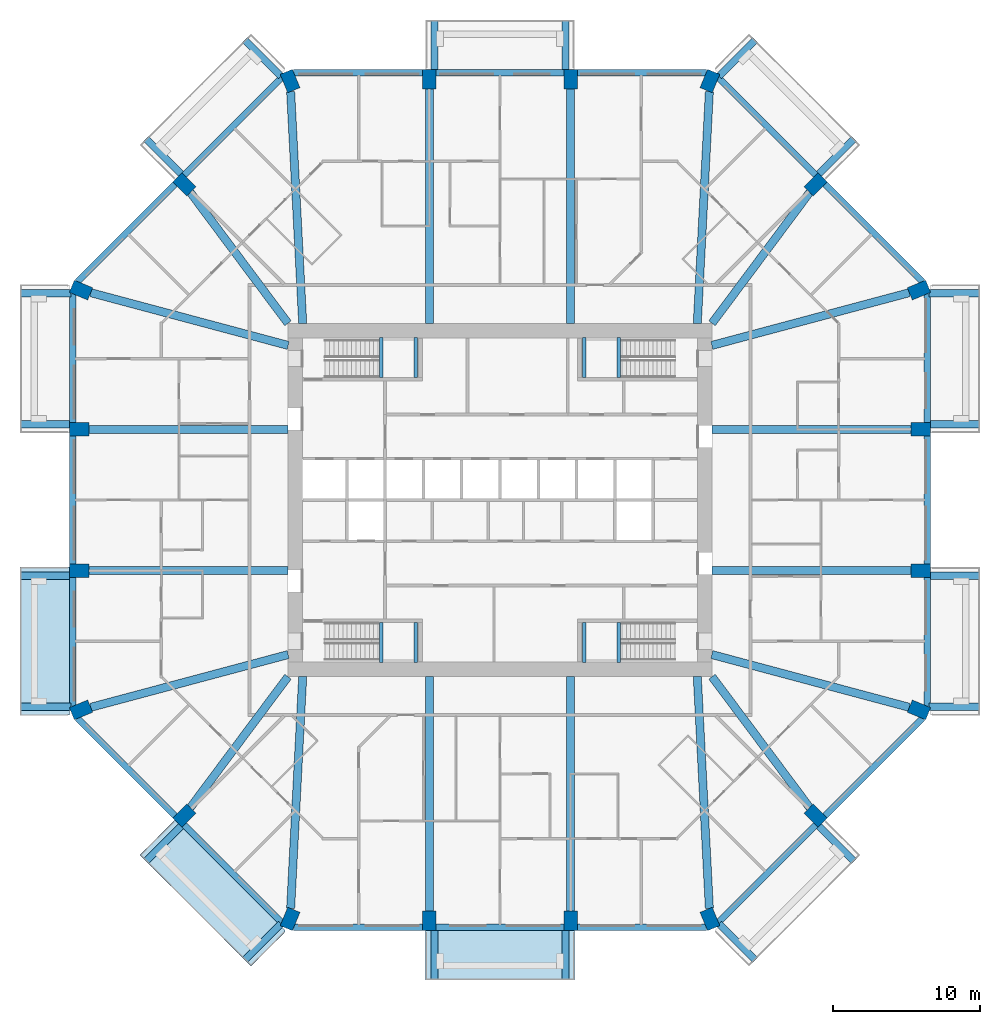
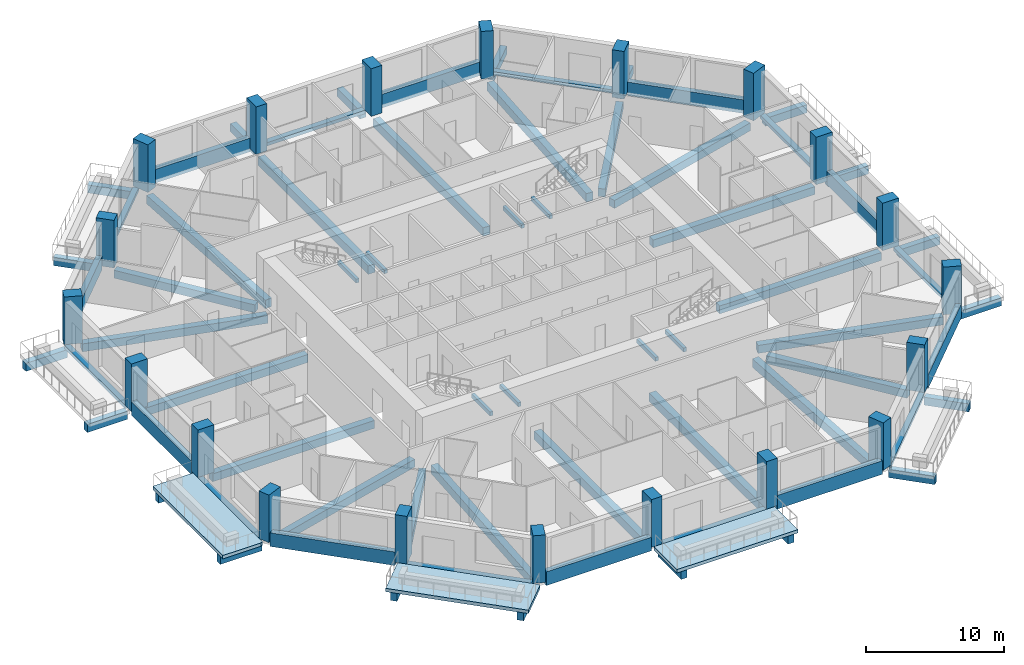
# One storey, part 1 of 13: 68 beams, 20 columns, 3 slabs.
"""IFC4 building model written with IfcOpenShell, lengths in metres."""

from ifc_helpers import new_model, si_unit, direction, frame, origin, origin_2d, place, context, subcontext, project, spatial, polyline, rectangle, outline, extrude, material, layer, layer_set, material_profile, profile_set, type_object, element, save


model = new_model("IFC4")

# Units and contexts
model_context = context("Model", 3, precision=1e-05, world=origin(), true_north=direction((0.0, 1.0)))
body_context = subcontext(model_context, "Body", "Model", "MODEL_VIEW")
ifc_project = project(units=[si_unit("LENGTHUNIT", "METRE"), si_unit("AREAUNIT", "SQUARE_METRE"), si_unit("VOLUMEUNIT", "CUBIC_METRE"), si_unit("PLANEANGLEUNIT", "RADIAN"), si_unit("MASSUNIT", "GRAM", prefix="KILO")], contexts=[model_context])

# Site, building, storey
site_placement = place(None, origin())
site = spatial("IfcSite", under=ifc_project, at=site_placement, CompositionType="ELEMENT")
building_placement = place(site_placement, origin())
building = spatial("IfcBuilding", under=site, at=building_placement, Name="Msitu Wima Residences", CompositionType="ELEMENT")
storey_placement = place(building_placement, frame((0.0, 0.0, 25.5)))
storey = spatial("IfcBuildingStorey", under=building, at=storey_placement, Name="L05", CompositionType="ELEMENT", Elevation=25.5)

# Columns
ifc_material_1 = material(Name="Concrete C80/95", Category="concrete")
ifc_material_profile_1 = material_profile(ifc_material_1, rectangle(XDim=0.89990234375, YDim=1.35009765625, at=origin_2d()), Name="RC 900x1350")
ifc_profile_set_1 = profile_set([ifc_material_profile_1], Name="Concrete C80/95")
column_type = type_object("IfcColumnType", Name="Column RC 900x1350 Concrete C80/95", PredefinedType="COLUMN", material=ifc_profile_set_1)
for number, where, z_axis, x_axis, name in (
    (1, (28.4541015625, -14.2568359375, 0.0), (0.0, 0.0, 1.0), (0.382683496864, 0.923879505795, 0.0), "Column L05 C-E0"),
    (2, (28.574951171875, -4.800048828125, 0.0), (0.0, 0.0, 1.0), (0.0, 1.0, 0.0), "Column L05 C-E1"),
    (3, (28.574951171875, 4.800048828125, 0.0), (0.0, 0.0, 1.0), (0.0, 1.0, 0.0), "Column L05 C-E2"),
    (4, (28.4541015625, 14.2568359375, 0.0), (0.0, 0.0, 1.0), (-0.382683496864, 0.923879505795, 0.0), "Column L05 C-NE0"),
    (5, (21.44091796875, 21.44091796875, 0.0), (0.0, 0.0, 1.0), (-0.707106781187, 0.707106781187, 0.0), "Column L05 C-NE1"),
    (6, (14.2568359375, 28.4541015625, 0.0), (0.0, 0.0, 1.0), (-0.923879505795, 0.382683496864, 0.0), "Column L05 C-N0"),
    (7, (4.800048828125, 28.574951171875, 0.0), (0.0, 0.0, 1.0), (-1.0, 0.0, 0.0), "Column L05 C-N1"),
    (8, (-4.800048828125, 28.574951171875, 0.0), (0.0, 0.0, 1.0), (-1.0, 0.0, 0.0), "Column L05 C-N2"),
    (9, (-14.2568359375, 28.4541015625, 0.0), (0.0, 0.0, 1.0), (-0.923879505795, -0.382683496864, 0.0), "Column L05 C-NW0"),
    (10, (-21.44091796875, 21.44091796875, 0.0), (0.0, 0.0, 1.0), (-0.707106781187, -0.707106781187, 0.0), "Column L05 C-NW1"),
    (11, (-28.4541015625, 14.2568359375, 0.0), (0.0, 0.0, 1.0), (-0.382683496864, -0.923879505795, 0.0), "Column L05 C-W0"),
    (12, (-28.574951171875, 4.800048828125, 0.0), (0.0, 0.0, 1.0), (0.0, -1.0, 0.0), "Column L05 C-W1"),
    (13, (-28.574951171875, -4.800048828125, 0.0), (0.0, 0.0, 1.0), (0.0, -1.0, 0.0), "Column L05 C-W2"),
    (14, (-28.4541015625, -14.2568359375, 0.0), (0.0, 0.0, 1.0), (0.382683496864, -0.923879505795, 0.0), "Column L05 C-SW0"),
    (15, (-21.44091796875, -21.44091796875, 0.0), (0.0, 0.0, 1.0), (0.707106781187, -0.707106781187, 0.0), "Column L05 C-SW1"),
    (16, (-14.2568359375, -28.4541015625, 0.0), (0.0, 0.0, 1.0), (0.923879505795, -0.382683496864, 0.0), "Column L05 C-S0"),
    (17, (-4.800048828125, -28.574951171875, 0.0), (0.0, 0.0, 1.0), (1.0, 0.0, 0.0), "Column L05 C-S1"),
    (18, (4.800048828125, -28.574951171875, 0.0), (0.0, 0.0, 1.0), (1.0, 0.0, 0.0), "Column L05 C-S2"),
    (19, (14.2568359375, -28.4541015625, 0.0), (0.0, 0.0, 1.0), (0.923879505795, 0.382683496864, 0.0), "Column L05 C-SE0"),
    (20, (21.44091796875, -21.44091796875, 0.0), (0.0, 0.0, 1.0), (0.707106781187, 0.707106781187, 0.0), "Column L05 C-SE1"),
):
    element("IfcColumn", number, at=place(storey_placement, frame(where, z_axis=z_axis, x_axis=x_axis)), inside=storey, type_object=column_type, Name=name, PredefinedType="COLUMN", context=body_context, shape_type="SweptSolid", body=[
        extrude(rectangle(XDim=0.89990234375, YDim=1.35009765625, at=origin_2d()), origin(), (0.0, 0.0, 1.0), 4.199951171875),
    ])

# Beams
ifc_material_2 = material(Name="Concrete C50/60", Category="concrete")
ifc_material_profile_2 = material_profile(ifc_material_2, rectangle(XDim=0.550048828125, YDim=0.699951171875, at=origin_2d()), Name="RC 550x700")
ifc_profile_set_2 = profile_set([ifc_material_profile_2], Name="Concrete C50/60")
beam_type_1 = type_object("IfcBeamType", Name="Beam RC 550x700 Concrete C50/60", PredefinedType="BEAM", material=ifc_profile_set_2)
beam_1_placement = place(storey_placement, frame((27.79638671875, -14.080810546875, -0.60009765625), z_axis=(-0.966081778408, 0.258236320891, 0.0), x_axis=(-0.258236320891, -0.966081778408, 0.0)))
element("IfcBeam", 21, at=beam_1_placement, inside=storey, type_object=beam_type_1, Name="Beam L05 C-E0", PredefinedType="BEAM", context=body_context, shape_type="SweptSolid", body=[
    extrude(rectangle(XDim=0.550048828125, YDim=0.699951171875, at=origin_2d()), origin(), (0.0, 0.0, 1.0), 13.878662109375),
])
for number, where, z_axis, x_axis, name in (
    (22, (27.89990234375, -4.800048828125, -0.60009765625), (-1.0, 0.0, 0.0), (0.0, -1.0, 0.0), "Beam L05 C-E1"),
    (23, (27.89990234375, 4.800048828125, -0.60009765625), (-1.0, 0.0, 0.0), (0.0, -1.0, 0.0), "Beam L05 C-E2"),
):
    element("IfcBeam", number, at=place(storey_placement, frame(where, z_axis=z_axis, x_axis=x_axis)), inside=storey, type_object=beam_type_1, Name=name, PredefinedType="BEAM", context=body_context, shape_type="SweptSolid", body=[
        extrude(rectangle(XDim=0.550048828125, YDim=0.699951171875, at=origin_2d()), origin(), (0.0, 0.0, 1.0), 13.5),
    ])
beam_2_placement = place(storey_placement, frame((27.79638671875, 14.080810546875, -0.60009765625), z_axis=(-0.966081778408, -0.258236320891, 0.0), x_axis=(0.258236320891, -0.966081778408, 0.0)))
element("IfcBeam", 24, at=beam_2_placement, inside=storey, type_object=beam_type_1, Name="Beam L05 C-NE0", PredefinedType="BEAM", context=body_context, shape_type="SweptSolid", body=[
    extrude(rectangle(XDim=0.550048828125, YDim=0.699951171875, at=origin_2d()), origin(), (0.0, 0.0, 1.0), 13.878662109375),
])
for number, where, z_axis, x_axis, name in (
    (25, (21.033203125, 20.89404296875, -0.60009765625), (-0.597850242031, -0.801607814398, 0.0), (0.801607814398, -0.597850242031, 0.0), "Beam L05 C-NE1"),
    (26, (-21.033203125, 20.89404296875, -0.60009765625), (0.597850242031, -0.801607814398, 0.0), (0.801607814398, 0.597850242031, 0.0), "Beam L05 C-NW1"),
):
    element("IfcBeam", number, at=place(storey_placement, frame(where, z_axis=z_axis, x_axis=x_axis)), inside=storey, type_object=beam_type_1, Name=name, PredefinedType="BEAM", context=body_context, shape_type="SweptSolid", body=[
        extrude(rectangle(XDim=0.550048828125, YDim=0.699951171875, at=origin_2d()), origin(), (0.0, 0.0, 1.0), 11.09521484375),
    ])
beam_3_placement = place(storey_placement, frame((-27.79638671875, 14.080810546875, -0.60009765625), z_axis=(0.966081778408, -0.258236320891, 0.0), x_axis=(0.258236320891, 0.966081778408, 0.0)))
element("IfcBeam", 27, at=beam_3_placement, inside=storey, type_object=beam_type_1, Name="Beam L05 C-W0", PredefinedType="BEAM", context=body_context, shape_type="SweptSolid", body=[
    extrude(rectangle(XDim=0.550048828125, YDim=0.699951171875, at=origin_2d()), origin(), (0.0, 0.0, 1.0), 13.878662109375),
])
for number, where, z_axis, x_axis, name in (
    (28, (-27.89990234375, 4.800048828125, -0.60009765625), (1.0, 0.0, 0.0), (0.0, 1.0, 0.0), "Beam L05 C-W1"),
    (29, (-27.89990234375, -4.800048828125, -0.60009765625), (1.0, 0.0, 0.0), (0.0, 1.0, 0.0), "Beam L05 C-W2"),
):
    element("IfcBeam", number, at=place(storey_placement, frame(where, z_axis=z_axis, x_axis=x_axis)), inside=storey, type_object=beam_type_1, Name=name, PredefinedType="BEAM", context=body_context, shape_type="SweptSolid", body=[
        extrude(rectangle(XDim=0.550048828125, YDim=0.699951171875, at=origin_2d()), origin(), (0.0, 0.0, 1.0), 13.5),
    ])
beam_4_placement = place(storey_placement, frame((-27.79638671875, -14.080810546875, -0.60009765625), z_axis=(0.966081778408, 0.258236320891, 0.0), x_axis=(-0.258236320891, 0.966081778408, 0.0)))
element("IfcBeam", 30, at=beam_4_placement, inside=storey, type_object=beam_type_1, Name="Beam L05 C-SW0", PredefinedType="BEAM", context=body_context, shape_type="SweptSolid", body=[
    extrude(rectangle(XDim=0.550048828125, YDim=0.699951171875, at=origin_2d()), origin(), (0.0, 0.0, 1.0), 13.878662109375),
])
for number, where, z_axis, x_axis, name in (
    (31, (-21.033203125, -20.89404296875, -0.60009765625), (0.597850242031, 0.801607814398, 0.0), (-0.801607814398, 0.597850242031, 0.0), "Beam L05 C-SW1"),
    (32, (21.033203125, -20.89404296875, -0.60009765625), (-0.597850242031, 0.801607814398, 0.0), (-0.801607814398, -0.597850242031, 0.0), "Beam L05 C-SE1"),
):
    element("IfcBeam", number, at=place(storey_placement, frame(where, z_axis=z_axis, x_axis=x_axis)), inside=storey, type_object=beam_type_1, Name=name, PredefinedType="BEAM", context=body_context, shape_type="SweptSolid", body=[
        extrude(rectangle(XDim=0.550048828125, YDim=0.699951171875, at=origin_2d()), origin(), (0.0, 0.0, 1.0), 11.09521484375),
    ])
ifc_material_profile_3 = material_profile(ifc_material_2, rectangle(XDim=0.550048828125, YDim=0.75, at=origin_2d()), Name="RC 550x750")
ifc_profile_set_3 = profile_set([ifc_material_profile_3], Name="Concrete C50/60")
beam_type_2 = type_object("IfcBeamType", Name="Beam RC 550x750 Concrete C50/60", PredefinedType="BEAM", material=ifc_profile_set_3)
beam_5_placement = place(storey_placement, frame((14.219482421875, 27.739013671875, -0.625), z_axis=(-0.05199418091, -0.998647387796, 0.0), x_axis=(0.998647387796, -0.05199418091, 0.0)))
element("IfcBeam", 33, at=beam_5_placement, inside=storey, type_object=beam_type_2, Name="Beam L05 C-N0", PredefinedType="BEAM", context=body_context, shape_type="SweptSolid", body=[
    extrude(rectangle(XDim=0.550048828125, YDim=0.75, at=origin_2d()), origin(), (0.0, 0.0, 1.0), 15.772216796875),
])
for number, where, z_axis, x_axis, name in (
    (34, (4.800048828125, 27.89990234375, -0.625), (0.0, -1.0, 0.0), (1.0, 0.0, 0.0), "Beam L05 C-N1"),
    (35, (-4.800048828125, 27.89990234375, -0.625), (0.0, -1.0, 0.0), (1.0, 0.0, 0.0), "Beam L05 C-N2"),
):
    element("IfcBeam", number, at=place(storey_placement, frame(where, z_axis=z_axis, x_axis=x_axis)), inside=storey, type_object=beam_type_2, Name=name, PredefinedType="BEAM", context=body_context, shape_type="SweptSolid", body=[
        extrude(rectangle(XDim=0.550048828125, YDim=0.75, at=origin_2d()), origin(), (0.0, 0.0, 1.0), 15.89990234375),
    ])
for number, where, z_axis, x_axis, name in (
    (36, (-14.219482421875, 27.739013671875, -0.625), (0.05199418091, -0.998647387796, 0.0), (0.998647387796, 0.05199418091, 0.0), "Beam L05 C-NW0"),
    (37, (-14.219482421875, -27.739013671875, -0.625), (0.05199418091, 0.998647387796, 0.0), (-0.998647387796, 0.05199418091, 0.0), "Beam L05 C-S0"),
):
    element("IfcBeam", number, at=place(storey_placement, frame(where, z_axis=z_axis, x_axis=x_axis)), inside=storey, type_object=beam_type_2, Name=name, PredefinedType="BEAM", context=body_context, shape_type="SweptSolid", body=[
        extrude(rectangle(XDim=0.550048828125, YDim=0.75, at=origin_2d()), origin(), (0.0, 0.0, 1.0), 15.772216796875),
    ])
for number, where, z_axis, x_axis, name in (
    (38, (-4.800048828125, -27.89990234375, -0.625), (0.0, 1.0, 0.0), (-1.0, 0.0, 0.0), "Beam L05 C-S1"),
    (39, (4.800048828125, -27.89990234375, -0.625), (0.0, 1.0, 0.0), (-1.0, 0.0, 0.0), "Beam L05 C-S2"),
):
    element("IfcBeam", number, at=place(storey_placement, frame(where, z_axis=z_axis, x_axis=x_axis)), inside=storey, type_object=beam_type_2, Name=name, PredefinedType="BEAM", context=body_context, shape_type="SweptSolid", body=[
        extrude(rectangle(XDim=0.550048828125, YDim=0.75, at=origin_2d()), origin(), (0.0, 0.0, 1.0), 15.89990234375),
    ])
beam_6_placement = place(storey_placement, frame((14.219482421875, -27.739013671875, -0.625), z_axis=(-0.05199418091, 0.998647387796, 0.0), x_axis=(-0.998647387796, -0.05199418091, 0.0)))
element("IfcBeam", 40, at=beam_6_placement, inside=storey, type_object=beam_type_2, Name="Beam L05 C-SE0", PredefinedType="BEAM", context=body_context, shape_type="SweptSolid", body=[
    extrude(rectangle(XDim=0.550048828125, YDim=0.75, at=origin_2d()), origin(), (0.0, 0.0, 1.0), 15.772216796875),
])
ifc_material_profile_4 = material_profile(ifc_material_2, rectangle(XDim=0.5, YDim=0.699951171875, at=origin_2d()), Name="RC 500x700")
ifc_profile_set_4 = profile_set([ifc_material_profile_4], Name="Concrete C50/60")
beam_type_3 = type_object("IfcBeamType", Name="Cantilever beam RC 500x700 Concrete C50/60", PredefinedType="BEAM", material=ifc_profile_set_4)
beam_7_placement = place(storey_placement, frame((29.130859375, -14.050048828125, -0.64990234375), z_axis=(1.0, 0.0, 0.0), x_axis=(0.0, 1.0, 0.0)))
element("IfcBeam", 41, at=beam_7_placement, inside=storey, type_object=beam_type_3, Name="Cantilever beam L05 BA-E0 A", PredefinedType="BEAM", context=body_context, shape_type="SweptSolid", body=[
    extrude(rectangle(XDim=0.5, YDim=0.699951171875, at=origin_2d()), origin(), (0.0, 0.0, 1.0), 3.46923828125),
])
for number, where, z_axis, x_axis, name in (
    (42, (29.25, -5.14990234375, -0.64990234375), (1.0, 0.0, 0.0), (0.0, 1.0, 0.0), "Cantilever beam L05 BA-E0 B"),
    (43, (29.25, 5.14990234375, -0.64990234375), (1.0, 0.0, 0.0), (0.0, 1.0, 0.0), "Cantilever beam L05 BA-E2 A"),
):
    element("IfcBeam", number, at=place(storey_placement, frame(where, z_axis=z_axis, x_axis=x_axis)), inside=storey, type_object=beam_type_3, Name=name, PredefinedType="BEAM", context=body_context, shape_type="SweptSolid", body=[
        extrude(rectangle(XDim=0.5, YDim=0.699951171875, at=origin_2d()), origin(), (0.0, 0.0, 1.0), 3.35009765625),
    ])
beam_8_placement = place(storey_placement, frame((29.130859375, 14.050048828125, -0.64990234375), z_axis=(1.0, 0.0, 0.0), x_axis=(0.0, 1.0, 0.0)))
element("IfcBeam", 44, at=beam_8_placement, inside=storey, type_object=beam_type_3, Name="Cantilever beam L05 BA-E2 B", PredefinedType="BEAM", context=body_context, shape_type="SweptSolid", body=[
    extrude(rectangle(XDim=0.5, YDim=0.699951171875, at=origin_2d()), origin(), (0.0, 0.0, 1.0), 3.46923828125),
])
beam_9_placement = place(storey_placement, frame((21.670654296875, 22.165771484375, -0.64990234375), z_axis=(0.707143219659, 0.707070340836, 0.0), x_axis=(-0.707070340836, 0.707143219659, 0.0)))
element("IfcBeam", 45, at=beam_9_placement, inside=storey, type_object=beam_type_3, Name="Cantilever beam L05 BA-NE1 A", PredefinedType="BEAM", context=body_context, shape_type="SweptSolid", body=[
    extrude(rectangle(XDim=0.5, YDim=0.699951171875, at=origin_2d()), origin(), (0.0, 0.0, 1.0), 3.349853515625),
])
beam_10_placement = place(storey_placement, frame((14.881591796875, 28.78662109375, -0.64990234375), z_axis=(0.707106781187, 0.707106781187, 0.0), x_axis=(-0.707106781187, 0.707106781187, 0.0)))
element("IfcBeam", 46, at=beam_10_placement, inside=storey, type_object=beam_type_3, Name="Cantilever beam L05 BA-NE1 B", PredefinedType="BEAM", context=body_context, shape_type="SweptSolid", body=[
    extrude(rectangle(XDim=0.5, YDim=0.699951171875, at=origin_2d()), origin(), (0.0, 0.0, 1.0), 3.468994140625),
])
for number, where, z_axis, x_axis, name in (
    (47, (4.449951171875, 29.25, -0.64990234375), (0.0, 1.0, 0.0), (-1.0, 0.0, 0.0), "Cantilever beam L05 BA-N1 A"),
    (48, (-4.449951171875, 29.25, -0.64990234375), (0.0, 1.0, 0.0), (-1.0, 0.0, 0.0), "Cantilever beam L05 BA-N1 B"),
):
    element("IfcBeam", number, at=place(storey_placement, frame(where, z_axis=z_axis, x_axis=x_axis)), inside=storey, type_object=beam_type_3, Name=name, PredefinedType="BEAM", context=body_context, shape_type="SweptSolid", body=[
        extrude(rectangle(XDim=0.5, YDim=0.699951171875, at=origin_2d()), origin(), (0.0, 0.0, 1.0), 3.35009765625),
    ])
beam_11_placement = place(storey_placement, frame((-14.881591796875, 28.78662109375, -0.64990234375), z_axis=(-0.707106781187, 0.707106781187, 0.0), x_axis=(-0.707106781187, -0.707106781187, 0.0)))
element("IfcBeam", 49, at=beam_11_placement, inside=storey, type_object=beam_type_3, Name="Cantilever beam L05 BA-NW0 A", PredefinedType="BEAM", context=body_context, shape_type="SweptSolid", body=[
    extrude(rectangle(XDim=0.5, YDim=0.699951171875, at=origin_2d()), origin(), (0.0, 0.0, 1.0), 3.468994140625),
])
beam_12_placement = place(storey_placement, frame((-21.670654296875, 22.165771484375, -0.64990234375), z_axis=(-0.707143219659, 0.707070340836, 0.0), x_axis=(-0.707070340836, -0.707143219659, 0.0)))
element("IfcBeam", 50, at=beam_12_placement, inside=storey, type_object=beam_type_3, Name="Cantilever beam L05 BA-NW0 B", PredefinedType="BEAM", context=body_context, shape_type="SweptSolid", body=[
    extrude(rectangle(XDim=0.5, YDim=0.699951171875, at=origin_2d()), origin(), (0.0, 0.0, 1.0), 3.349853515625),
])
beam_13_placement = place(storey_placement, frame((-29.130859375, 14.050048828125, -0.64990234375), z_axis=(-1.0, 0.0, 0.0), x_axis=(0.0, -1.0, 0.0)))
element("IfcBeam", 51, at=beam_13_placement, inside=storey, type_object=beam_type_3, Name="Cantilever beam L05 BA-W0 A", PredefinedType="BEAM", context=body_context, shape_type="SweptSolid", body=[
    extrude(rectangle(XDim=0.5, YDim=0.699951171875, at=origin_2d()), origin(), (0.0, 0.0, 1.0), 3.46923828125),
])
for number, where, z_axis, x_axis, name in (
    (52, (-29.25, 5.14990234375, -0.64990234375), (-1.0, 0.0, 0.0), (0.0, -1.0, 0.0), "Cantilever beam L05 BA-W0 B"),
    (53, (-29.25, -5.14990234375, -0.64990234375), (-1.0, 0.0, 0.0), (0.0, -1.0, 0.0), "Cantilever beam L05 BA-W2 A"),
):
    element("IfcBeam", number, at=place(storey_placement, frame(where, z_axis=z_axis, x_axis=x_axis)), inside=storey, type_object=beam_type_3, Name=name, PredefinedType="BEAM", context=body_context, shape_type="SweptSolid", body=[
        extrude(rectangle(XDim=0.5, YDim=0.699951171875, at=origin_2d()), origin(), (0.0, 0.0, 1.0), 3.35009765625),
    ])
beam_14_placement = place(storey_placement, frame((-29.130859375, -14.050048828125, -0.64990234375), z_axis=(-1.0, 0.0, 0.0), x_axis=(0.0, -1.0, 0.0)))
element("IfcBeam", 54, at=beam_14_placement, inside=storey, type_object=beam_type_3, Name="Cantilever beam L05 BA-W2 B", PredefinedType="BEAM", context=body_context, shape_type="SweptSolid", body=[
    extrude(rectangle(XDim=0.5, YDim=0.699951171875, at=origin_2d()), origin(), (0.0, 0.0, 1.0), 3.46923828125),
])
beam_15_placement = place(storey_placement, frame((-21.670654296875, -22.165771484375, -0.64990234375), z_axis=(-0.707143219659, -0.707070340836, 0.0), x_axis=(0.707070340836, -0.707143219659, 0.0)))
element("IfcBeam", 55, at=beam_15_placement, inside=storey, type_object=beam_type_3, Name="Cantilever beam L05 BA-SW1 A", PredefinedType="BEAM", context=body_context, shape_type="SweptSolid", body=[
    extrude(rectangle(XDim=0.5, YDim=0.699951171875, at=origin_2d()), origin(), (0.0, 0.0, 1.0), 3.349853515625),
])
beam_16_placement = place(storey_placement, frame((-14.881591796875, -28.78662109375, -0.64990234375), z_axis=(-0.707106781187, -0.707106781187, 0.0), x_axis=(0.707106781187, -0.707106781187, 0.0)))
element("IfcBeam", 56, at=beam_16_placement, inside=storey, type_object=beam_type_3, Name="Cantilever beam L05 BA-SW1 B", PredefinedType="BEAM", context=body_context, shape_type="SweptSolid", body=[
    extrude(rectangle(XDim=0.5, YDim=0.699951171875, at=origin_2d()), origin(), (0.0, 0.0, 1.0), 3.468994140625),
])
for number, where, z_axis, x_axis, name in (
    (57, (-4.449951171875, -29.25, -0.64990234375), (0.0, -1.0, 0.0), (1.0, 0.0, 0.0), "Cantilever beam L05 BA-S1 A"),
    (58, (4.449951171875, -29.25, -0.64990234375), (0.0, -1.0, 0.0), (1.0, 0.0, 0.0), "Cantilever beam L05 BA-S1 B"),
):
    element("IfcBeam", number, at=place(storey_placement, frame(where, z_axis=z_axis, x_axis=x_axis)), inside=storey, type_object=beam_type_3, Name=name, PredefinedType="BEAM", context=body_context, shape_type="SweptSolid", body=[
        extrude(rectangle(XDim=0.5, YDim=0.699951171875, at=origin_2d()), origin(), (0.0, 0.0, 1.0), 3.35009765625),
    ])
beam_17_placement = place(storey_placement, frame((14.881591796875, -28.78662109375, -0.64990234375), z_axis=(0.707106781187, -0.707106781187, 0.0), x_axis=(0.707106781187, 0.707106781187, 0.0)))
element("IfcBeam", 59, at=beam_17_placement, inside=storey, type_object=beam_type_3, Name="Cantilever beam L05 BA-SE0 A", PredefinedType="BEAM", context=body_context, shape_type="SweptSolid", body=[
    extrude(rectangle(XDim=0.5, YDim=0.699951171875, at=origin_2d()), origin(), (0.0, 0.0, 1.0), 3.468994140625),
])
beam_18_placement = place(storey_placement, frame((21.670654296875, -22.165771484375, -0.64990234375), z_axis=(0.707143219659, -0.707070340836, 0.0), x_axis=(0.707070340836, 0.707143219659, 0.0)))
element("IfcBeam", 60, at=beam_18_placement, inside=storey, type_object=beam_type_3, Name="Cantilever beam L05 BA-SE0 B", PredefinedType="BEAM", context=body_context, shape_type="SweptSolid", body=[
    extrude(rectangle(XDim=0.5, YDim=0.699951171875, at=origin_2d()), origin(), (0.0, 0.0, 1.0), 3.349853515625),
])
ifc_material_profile_5 = material_profile(ifc_material_2, rectangle(XDim=0.449951171875, YDim=0.300048828125, at=origin_2d()), Name="RC 450x300")
ifc_profile_set_5 = profile_set([ifc_material_profile_5], Name="Concrete C50/60")
beam_type_4 = type_object("IfcBeamType", Name="Edge beam RC 450x300 Concrete C50/60", PredefinedType="SPANDREL", material=ifc_profile_set_5)
for number, where, z_axis, x_axis, name in (
    (61, (29.02490234375, -14.01806640625, -0.14990234375), (0.0, 1.0, 0.0), (-1.0, 0.0, 0.0), "Spandrel L05 E0"),
    (62, (29.02490234375, 5.25, -0.14990234375), (0.0, 1.0, 0.0), (-1.0, 0.0, 0.0), "Spandrel L05 E2"),
):
    element("IfcBeam", number, at=place(storey_placement, frame(where, z_axis=z_axis, x_axis=x_axis)), inside=storey, type_object=beam_type_4, Name=name, PredefinedType="SPANDREL", context=body_context, shape_type="SweptSolid", body=[
        extrude(rectangle(XDim=0.449951171875, YDim=0.300048828125, at=origin_2d()), origin(), (0.0, 0.0, 1.0), 8.76806640625),
    ])
beam_19_placement = place(storey_placement, frame((21.44091796875, 22.077392578125, -0.14990234375), z_axis=(-0.707119836229, 0.707093725903, 0.0), x_axis=(-0.707093725903, -0.707119836229, 0.0)))
element("IfcBeam", 63, at=beam_19_placement, inside=storey, type_object=beam_type_4, Name="Spandrel L05 NE1", PredefinedType="SPANDREL", context=body_context, shape_type="SweptSolid", body=[
    extrude(rectangle(XDim=0.449951171875, YDim=0.300048828125, at=origin_2d()), origin(), (0.0, 0.0, 1.0), 9.350341796875),
])
beam_20_placement = place(storey_placement, frame((4.35009765625, 29.02490234375, -0.14990234375), z_axis=(-1.0, 0.0, 0.0), x_axis=(0.0, -1.0, 0.0)))
element("IfcBeam", 64, at=beam_20_placement, inside=storey, type_object=beam_type_4, Name="Spandrel L05 N1", PredefinedType="SPANDREL", context=body_context, shape_type="SweptSolid", body=[
    extrude(rectangle(XDim=0.449951171875, YDim=0.300048828125, at=origin_2d()), origin(), (0.0, 0.0, 1.0), 8.7001953125),
])
beam_21_placement = place(storey_placement, frame((-14.8291015625, 28.68896484375, -0.14990234375), z_axis=(-0.707119836229, -0.707093725903, 0.0), x_axis=(0.707093725903, -0.707119836229, 0.0)))
element("IfcBeam", 65, at=beam_21_placement, inside=storey, type_object=beam_type_4, Name="Spandrel L05 NW0", PredefinedType="SPANDREL", context=body_context, shape_type="SweptSolid", body=[
    extrude(rectangle(XDim=0.449951171875, YDim=0.300048828125, at=origin_2d()), origin(), (0.0, 0.0, 1.0), 9.350341796875),
])
for number, where, z_axis, x_axis, name in (
    (66, (-29.02490234375, 14.01806640625, -0.14990234375), (0.0, -1.0, 0.0), (1.0, 0.0, 0.0), "Spandrel L05 W0"),
    (67, (-29.02490234375, -5.25, -0.14990234375), (0.0, -1.0, 0.0), (1.0, 0.0, 0.0), "Spandrel L05 W2"),
):
    element("IfcBeam", number, at=place(storey_placement, frame(where, z_axis=z_axis, x_axis=x_axis)), inside=storey, type_object=beam_type_4, Name=name, PredefinedType="SPANDREL", context=body_context, shape_type="SweptSolid", body=[
        extrude(rectangle(XDim=0.449951171875, YDim=0.300048828125, at=origin_2d()), origin(), (0.0, 0.0, 1.0), 8.76806640625),
    ])
beam_22_placement = place(storey_placement, frame((-21.44091796875, -22.077392578125, -0.14990234375), z_axis=(0.707119836229, -0.707093725903, 0.0), x_axis=(0.707093725903, 0.707119836229, 0.0)))
element("IfcBeam", 68, at=beam_22_placement, inside=storey, type_object=beam_type_4, Name="Spandrel L05 SW1", PredefinedType="SPANDREL", context=body_context, shape_type="SweptSolid", body=[
    extrude(rectangle(XDim=0.449951171875, YDim=0.300048828125, at=origin_2d()), origin(), (0.0, 0.0, 1.0), 9.350341796875),
])
beam_23_placement = place(storey_placement, frame((-4.35009765625, -29.02490234375, -0.14990234375), z_axis=(1.0, 0.0, 0.0), x_axis=(0.0, 1.0, 0.0)))
element("IfcBeam", 69, at=beam_23_placement, inside=storey, type_object=beam_type_4, Name="Spandrel L05 S1", PredefinedType="SPANDREL", context=body_context, shape_type="SweptSolid", body=[
    extrude(rectangle(XDim=0.449951171875, YDim=0.300048828125, at=origin_2d()), origin(), (0.0, 0.0, 1.0), 8.7001953125),
])
beam_24_placement = place(storey_placement, frame((14.8291015625, -28.68896484375, -0.14990234375), z_axis=(0.707119836229, 0.707093725903, 0.0), x_axis=(-0.707093725903, 0.707119836229, 0.0)))
element("IfcBeam", 70, at=beam_24_placement, inside=storey, type_object=beam_type_4, Name="Spandrel L05 SE0", PredefinedType="SPANDREL", context=body_context, shape_type="SweptSolid", body=[
    extrude(rectangle(XDim=0.449951171875, YDim=0.300048828125, at=origin_2d()), origin(), (0.0, 0.0, 1.0), 9.350341796875),
])
ifc_material_3 = material(Name="Concrete C40/50", Category="concrete")
ifc_material_profile_6 = material_profile(ifc_material_3, rectangle(XDim=0.25, YDim=0.35009765625, at=origin_2d()), Name="RC 250x350")
ifc_profile_set_6 = profile_set([ifc_material_profile_6], Name="Concrete C40/50")
beam_type_5 = type_object("IfcBeamType", Name="Landing beam RC 250x350", PredefinedType="BEAM", material=ifc_profile_set_6)
for number, where, z_axis, x_axis, name in (
    (71, (-8.074951171875, 8.324951171875, 1.72509765625), (0.0, 1.0, 0.0), (-1.0, 0.0, 0.0), "Stair 1 landing beam"),
    (72, (-5.72509765625, 8.324951171875, 1.72509765625), (0.0, 1.0, 0.0), (-1.0, 0.0, 0.0), "Stair 1 landing beam"),
    (73, (-8.074951171875, -11.02490234375, 1.72509765625), (0.0, 1.0, 0.0), (-1.0, 0.0, 0.0), "Stair 2 landing beam"),
    (74, (-5.72509765625, -11.02490234375, 1.72509765625), (0.0, 1.0, 0.0), (-1.0, 0.0, 0.0), "Stair 2 landing beam"),
    (75, (8.074951171875, 8.324951171875, 1.72509765625), (0.0, 1.0, 0.0), (-1.0, 0.0, 0.0), "Stair 3 landing beam"),
    (76, (5.72509765625, 8.324951171875, 1.72509765625), (0.0, 1.0, 0.0), (-1.0, 0.0, 0.0), "Stair 3 landing beam"),
    (77, (8.074951171875, -11.02490234375, 1.72509765625), (0.0, 1.0, 0.0), (-1.0, 0.0, 0.0), "Stair 4 landing beam"),
    (78, (5.72509765625, -11.02490234375, 1.72509765625), (0.0, 1.0, 0.0), (-1.0, 0.0, 0.0), "Stair 4 landing beam"),
):
    element("IfcBeam", number, at=place(storey_placement, frame(where, z_axis=z_axis, x_axis=x_axis)), inside=storey, type_object=beam_type_5, Name=name, PredefinedType="BEAM", context=body_context, shape_type="SweptSolid", body=[
        extrude(rectangle(XDim=0.25, YDim=0.35009765625, at=origin_2d()), origin(), (0.0, 0.0, 1.0), 2.699951171875),
    ])
ifc_material_profile_7 = material_profile(ifc_material_2, rectangle(XDim=0.449951171875, YDim=1.199951171875, at=origin_2d()), Name="RC 450x1200")
ifc_profile_set_7 = profile_set([ifc_material_profile_7], Name="Concrete C50/60")
beam_type_6 = type_object("IfcBeamType", Name="Spandrel RC 450x1200 Concrete C50/60", PredefinedType="SPANDREL", material=ifc_profile_set_7)
beam_25_placement = place(storey_placement, frame((29.02490234375, -4.35009765625, 0.300048828125), z_axis=(0.0, 1.0, 0.0), x_axis=(-1.0, 0.0, 0.0)))
element("IfcBeam", 79, at=beam_25_placement, inside=storey, type_object=beam_type_6, Name="Spandrel L05 E1", PredefinedType="SPANDREL", context=body_context, shape_type="SweptSolid", body=[
    extrude(rectangle(XDim=0.449951171875, YDim=1.199951171875, at=origin_2d()), origin(), (0.0, 0.0, 1.0), 8.7001953125),
])
beam_26_placement = place(storey_placement, frame((28.68896484375, 14.8291015625, 0.300048828125), z_axis=(-0.707093725903, 0.707119836229, 0.0), x_axis=(-0.707119836229, -0.707093725903, 0.0)))
element("IfcBeam", 80, at=beam_26_placement, inside=storey, type_object=beam_type_6, Name="Spandrel L05 NE0", PredefinedType="SPANDREL", context=body_context, shape_type="SweptSolid", body=[
    extrude(rectangle(XDim=0.449951171875, YDim=1.199951171875, at=origin_2d()), origin(), (0.0, 0.0, 1.0), 9.350341796875),
])
for number, where, z_axis, x_axis, name in (
    (81, (14.01806640625, 29.02490234375, 0.300048828125), (-1.0, 0.0, 0.0), (0.0, -1.0, 0.0), "Spandrel L05 N0"),
    (82, (-5.25, 29.02490234375, 0.300048828125), (-1.0, 0.0, 0.0), (0.0, -1.0, 0.0), "Spandrel L05 N2"),
):
    element("IfcBeam", number, at=place(storey_placement, frame(where, z_axis=z_axis, x_axis=x_axis)), inside=storey, type_object=beam_type_6, Name=name, PredefinedType="SPANDREL", context=body_context, shape_type="SweptSolid", body=[
        extrude(rectangle(XDim=0.449951171875, YDim=1.199951171875, at=origin_2d()), origin(), (0.0, 0.0, 1.0), 8.76806640625),
    ])
beam_27_placement = place(storey_placement, frame((-22.077392578125, 21.44091796875, 0.300048828125), z_axis=(-0.707093725903, -0.707119836229, 0.0), x_axis=(0.707119836229, -0.707093725903, 0.0)))
element("IfcBeam", 83, at=beam_27_placement, inside=storey, type_object=beam_type_6, Name="Spandrel L05 NW1", PredefinedType="SPANDREL", context=body_context, shape_type="SweptSolid", body=[
    extrude(rectangle(XDim=0.449951171875, YDim=1.199951171875, at=origin_2d()), origin(), (0.0, 0.0, 1.0), 9.350341796875),
])
beam_28_placement = place(storey_placement, frame((-29.02490234375, 4.35009765625, 0.300048828125), z_axis=(0.0, -1.0, 0.0), x_axis=(1.0, 0.0, 0.0)))
element("IfcBeam", 84, at=beam_28_placement, inside=storey, type_object=beam_type_6, Name="Spandrel L05 W1", PredefinedType="SPANDREL", context=body_context, shape_type="SweptSolid", body=[
    extrude(rectangle(XDim=0.449951171875, YDim=1.199951171875, at=origin_2d()), origin(), (0.0, 0.0, 1.0), 8.7001953125),
])
beam_29_placement = place(storey_placement, frame((-28.68896484375, -14.8291015625, 0.300048828125), z_axis=(0.707093725903, -0.707119836229, 0.0), x_axis=(0.707119836229, 0.707093725903, 0.0)))
element("IfcBeam", 85, at=beam_29_placement, inside=storey, type_object=beam_type_6, Name="Spandrel L05 SW0", PredefinedType="SPANDREL", context=body_context, shape_type="SweptSolid", body=[
    extrude(rectangle(XDim=0.449951171875, YDim=1.199951171875, at=origin_2d()), origin(), (0.0, 0.0, 1.0), 9.350341796875),
])
for number, where, z_axis, x_axis, name in (
    (86, (-14.01806640625, -29.02490234375, 0.300048828125), (1.0, 0.0, 0.0), (0.0, 1.0, 0.0), "Spandrel L05 S0"),
    (87, (5.25, -29.02490234375, 0.300048828125), (1.0, 0.0, 0.0), (0.0, 1.0, 0.0), "Spandrel L05 S2"),
):
    element("IfcBeam", number, at=place(storey_placement, frame(where, z_axis=z_axis, x_axis=x_axis)), inside=storey, type_object=beam_type_6, Name=name, PredefinedType="SPANDREL", context=body_context, shape_type="SweptSolid", body=[
        extrude(rectangle(XDim=0.449951171875, YDim=1.199951171875, at=origin_2d()), origin(), (0.0, 0.0, 1.0), 8.76806640625),
    ])
beam_30_placement = place(storey_placement, frame((22.077392578125, -21.44091796875, 0.300048828125), z_axis=(0.707093725903, 0.707119836229, 0.0), x_axis=(-0.707119836229, 0.707093725903, 0.0)))
element("IfcBeam", 88, at=beam_30_placement, inside=storey, type_object=beam_type_6, Name="Spandrel L05 SE1", PredefinedType="SPANDREL", context=body_context, shape_type="SweptSolid", body=[
    extrude(rectangle(XDim=0.449951171875, YDim=1.199951171875, at=origin_2d()), origin(), (0.0, 0.0, 1.0), 9.350341796875),
])

# Slabs
ifc_layer = layer(ifc_material_3, 0.300048828125)
ifc_layer_set = layer_set([ifc_layer], Name="Concrete C40/50")
slab_type = type_object("IfcSlabType", Name="Balcony slab BS300", PredefinedType="FLOOR", material=ifc_layer_set)
slab_1_placement = place(storey_placement, frame((0.0, 0.0, -0.300048828125)))
element("IfcSlab", 89, at=slab_1_placement, inside=storey, type_object=slab_type, Name="Balcony W2 L05", PredefinedType="FLOOR", context=body_context, shape_type="SweptSolid", body=[
    extrude(outline(polyline([(-29.25, -14.099365234375), (-29.25, -14.099365234375), (-29.25, -14.099365234375), (-29.25, -14.58642578125), (-29.403564453125, -14.64990234375), (-32.60009765625, -14.64990234375), (-32.60009765625, -4.550048828125), (-29.25, -4.550048828125), (-29.25, -5.25), (-29.25, -14.099365234375)])), origin(), (0.0, 0.0, 1.0), 0.300048828125),
])
slab_2_placement = place(storey_placement, frame((0.0, 0.0, -0.300048828125)))
element("IfcSlab", 90, at=slab_2_placement, inside=storey, type_object=slab_type, Name="Balcony SW1 L05", PredefinedType="FLOOR", context=body_context, shape_type="SweptSolid", body=[
    extrude(outline(polyline([(-16.91015625, -31.663818359375), (-24.4638671875, -24.1103515625), (-22.094970703125, -21.741455078125), (-14.58642578125, -29.25), (-14.64990234375, -29.403564453125), (-16.91015625, -31.663818359375)])), origin(), (0.0, 0.0, 1.0), 0.300048828125),
])
slab_3_placement = place(storey_placement, frame((0.0, 0.0, -0.300048828125)))
element("IfcSlab", 91, at=slab_3_placement, inside=storey, type_object=slab_type, Name="Balcony S1 L05", PredefinedType="FLOOR", context=body_context, shape_type="SweptSolid", body=[
    extrude(outline(polyline([(-4.35009765625, -29.25), (4.35009765625, -29.25), (5.050048828125, -29.25), (5.050048828125, -32.60009765625), (-5.050048828125, -32.60009765625), (-5.050048828125, -29.25), (-4.35009765625, -29.25)])), origin(), (0.0, 0.0, 1.0), 0.300048828125),
])

save(model, "model.ifc")
